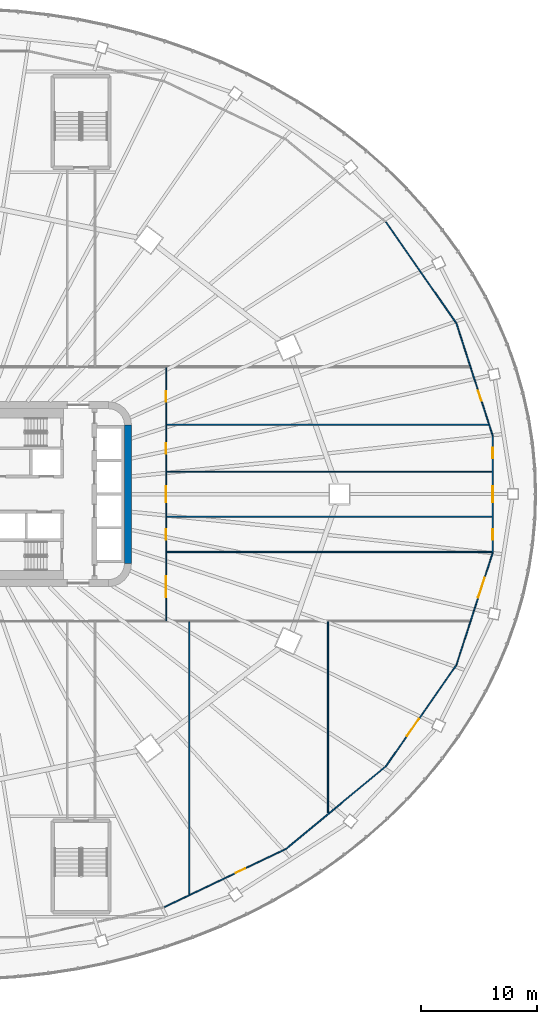
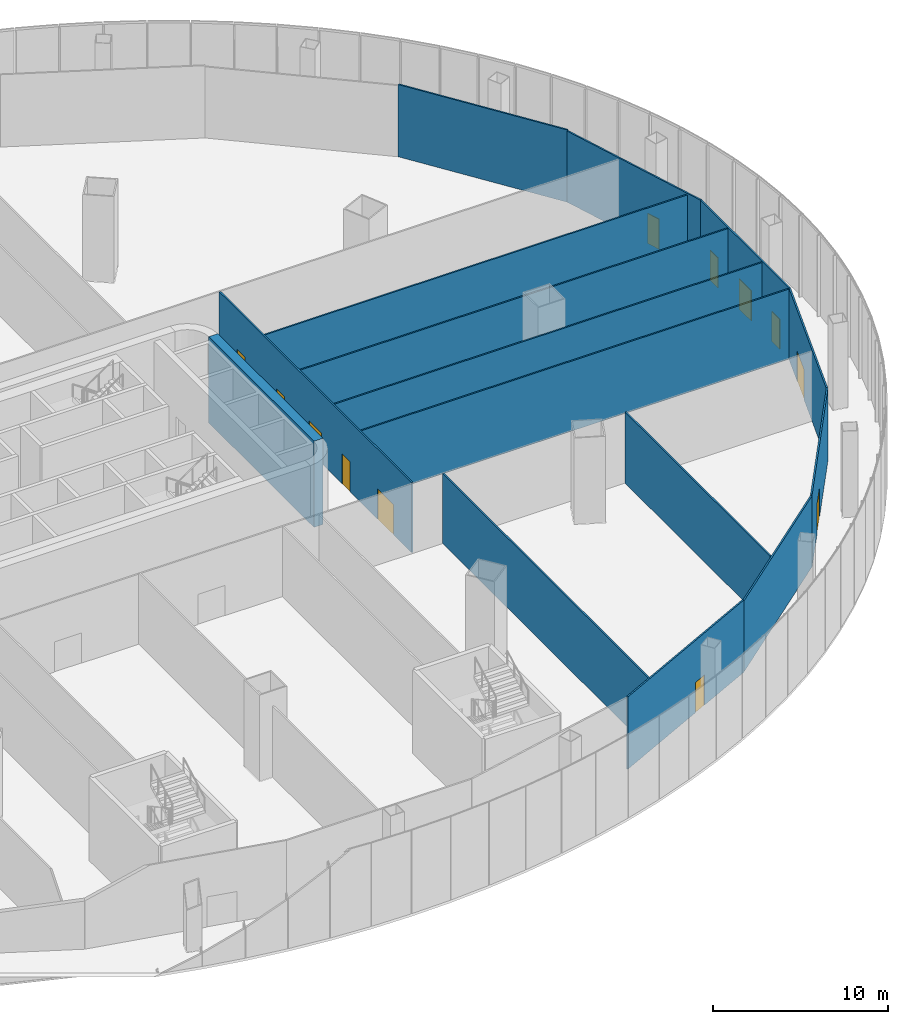
# One storey, part 25 of 37: 15 walls, 12 doors, 12 openings.
"""IFC4 building model written with IfcOpenShell, lengths in metres."""

from ifc_helpers import new_model, si_unit, direction, frame, frame_2d, origin, place, context, subcontext, project, spatial, rectangle, extrude, material, layer, layer_set, type_object, element, fill, save


model = new_model("IFC4")

# Units and contexts
model_context = context("Model", 3, precision=1e-05, world=origin(), true_north=direction((0.0, 1.0)))
body_context = subcontext(model_context, "Body", "Model", "MODEL_VIEW")
ifc_project = project(units=[si_unit("LENGTHUNIT", "METRE"), si_unit("AREAUNIT", "SQUARE_METRE"), si_unit("VOLUMEUNIT", "CUBIC_METRE"), si_unit("PLANEANGLEUNIT", "RADIAN"), si_unit("MASSUNIT", "GRAM", prefix="KILO")], contexts=[model_context])

# Site, building, storey
site_placement = place(None, origin())
site = spatial("IfcSite", under=ifc_project, at=site_placement, CompositionType="ELEMENT")
building_placement = place(site_placement, origin())
building = spatial("IfcBuilding", under=site, at=building_placement, Name="Sahrelin Media Tower", CompositionType="ELEMENT")
storey_placement = place(building_placement, frame((0.0, 0.0, 31.39990234375)))
storey = spatial("IfcBuildingStorey", under=building, at=storey_placement, Name="L04", CompositionType="ELEMENT", Elevation=31.39990234375)

# Wall
ifc_material_1 = material(Name="Concrete C60/75", Category="concrete")
ifc_layer_1 = layer(ifc_material_1, 0.60009765625)
ifc_layer_set_1 = layer_set([ifc_layer_1], Name="Core wall 600")
wall_type_1 = type_object("IfcWallType", Name="Core wall 600", PredefinedType="SHEAR", material=ifc_layer_set_1)
wall_1_placement = place(storey_placement, frame((14.699951171875, -6.0, 0.0), z_axis=(0.0, 0.0, 1.0), x_axis=(0.0, 1.0, 0.0)))
element("IfcWall", 1, at=wall_1_placement, inside=storey, type_object=wall_type_1, Name="Core wall E L04", PredefinedType="SHEAR", context=body_context, shape_type="SweptSolid", body=[
    extrude(rectangle(XDim=12.0, YDim=0.60009765625, at=frame_2d((6.0, 0.0))), origin(), (0.0, 0.0, 1.0), 6.0),
])

# Wall, opening, door
ifc_material_2 = material(Name="Gypsum board partition")
ifc_layer_2 = layer(ifc_material_2, 0.10009765625)
ifc_layer_set_2 = layer_set([ifc_layer_2], Name="Partition 100")
wall_type_2 = type_object("IfcWallType", Name="Partition 100", PredefinedType="PARTITIONING", material=ifc_layer_set_2)
wall_2_placement = place(storey_placement, frame((46.2509765625, 5.044921875, 0.0), z_axis=(0.0, 0.0, 1.0), x_axis=(-0.307713034182, 0.951479210805, 0.0)))
wall_2 = element("IfcWall", 2, at=wall_2_placement, inside=storey, type_object=wall_type_2, Name="Wall", PredefinedType="PARTITIONING", context=body_context, shape_type="SweptSolid", body=[
    extrude(rectangle(XDim=10.242919921875, YDim=0.10009765625, at=frame_2d((5.12158203125, 0.0))), origin(), (0.0, 0.0, 1.0), 4.945068359375),
])
opening_1_placement = place(wall_2_placement, frame((3.199951171875, 0.0, 0.0)))
opening_1 = element("IfcOpeningElement", 3, at=opening_1_placement, cuts=wall_2, Name="Opening L04-D43", PredefinedType="OPENING", context=body_context, shape_type="SweptSolid", body=[
    extrude(rectangle(XDim=0.89990234375, YDim=2.10009765625, at=frame_2d((0.449951171875, 1.050048828125))), frame((0.0, 0.050048828125, 0.0), z_axis=(0.0, -1.0, 0.0), x_axis=(1.0, 0.0, 0.0)), (0.0, 0.0, 1.0), 0.10009765625),
])
ifc_material_3 = material(Name="Timber door leaf", Category="wood")
door_type_1 = type_object("IfcDoorType", Name="Single door 900 x 2100", OperationType="NOTDEFINED", PredefinedType="DOOR", material=ifc_material_3)
door_1_placement = place(opening_1_placement, origin())
door_1 = element("IfcDoor", 4, at=door_1_placement, inside=storey, type_object=door_type_1, Name="Single door", OperationType="SINGLE_SWING_LEFT", OverallHeight=2.10009765625, OverallWidth=0.89990234375, PredefinedType="DOOR", context=body_context, shape_type="SweptSolid", body=[
    extrude(rectangle(XDim=0.89990234375, YDim=2.10009765625, at=frame_2d((0.449951171875, 1.050048828125))), frame((0.0, 0.02490234375, 0.0), z_axis=(0.0, -1.0, 0.0), x_axis=(1.0, 0.0, 0.0)), (0.0, 0.0, 1.0), 0.050048828125),
])
fill(opening_1, door_1)

# Wall
wall_3_placement = place(storey_placement, frame((43.09912109375, 14.790771484375, 0.0), z_axis=(0.0, 0.0, 1.0), x_axis=(-0.571737958261, 0.820436290692, 0.0)))
element("IfcWall", 5, at=wall_3_placement, inside=storey, type_object=wall_type_2, Name="Wall", PredefinedType="PARTITIONING", context=body_context, shape_type="SweptSolid", body=[
    extrude(rectangle(XDim=10.650146484375, YDim=0.10009765625, at=frame_2d((5.3251953125, 0.0))), origin(), (0.0, 0.0, 1.0), 5.026123046875),
])

# Wall, opening, door
wall_4_placement = place(storey_placement, frame((17.852294921875, -35.7080078125, 0.0), z_axis=(0.0, 0.0, 1.0), x_axis=(0.902100999032, 0.431524955878, 0.0)))
wall_4 = element("IfcWall", 6, at=wall_4_placement, inside=storey, type_object=wall_type_2, Name="Wall", PredefinedType="PARTITIONING", context=body_context, shape_type="SweptSolid", body=[
    extrude(rectangle(XDim=11.69091796875, YDim=0.10009765625, at=frame_2d((5.845458984375, 0.0))), origin(), (0.0, 0.0, 1.0), 5.026123046875),
])
opening_2_placement = place(wall_4_placement, frame((6.837890625, 0.0, 0.0)))
opening_2 = element("IfcOpeningElement", 7, at=opening_2_placement, cuts=wall_4, Name="Opening L04-D34", PredefinedType="OPENING", context=body_context, shape_type="SweptSolid", body=[
    extrude(rectangle(XDim=0.89990234375, YDim=2.10009765625, at=frame_2d((0.449951171875, 1.050048828125))), frame((0.0, 0.050048828125, 0.0), z_axis=(0.0, -1.0, 0.0), x_axis=(1.0, 0.0, 0.0)), (0.0, 0.0, 1.0), 0.10009765625),
])
door_2_placement = place(opening_2_placement, origin())
door_2 = element("IfcDoor", 8, at=door_2_placement, inside=storey, type_object=door_type_1, Name="Single door", OperationType="SINGLE_SWING_RIGHT", OverallHeight=2.10009765625, OverallWidth=0.89990234375, PredefinedType="DOOR", context=body_context, shape_type="SweptSolid", body=[
    extrude(rectangle(XDim=0.89990234375, YDim=2.10009765625, at=frame_2d((0.449951171875, 1.050048828125))), frame((0.0, 0.02490234375, 0.0), z_axis=(0.0, -1.0, 0.0), x_axis=(1.0, 0.0, 0.0)), (0.0, 0.0, 1.0), 0.050048828125),
])
fill(opening_2, door_2)

# Wall
wall_5_placement = place(storey_placement, frame((28.398681640625, -30.6630859375, 0.0), z_axis=(0.0, 0.0, 1.0), x_axis=(0.770046995363, 0.637987166746, 0.0)))
element("IfcWall", 9, at=wall_5_placement, inside=storey, type_object=wall_type_2, Name="Wall", PredefinedType="PARTITIONING", context=body_context, shape_type="SweptSolid", body=[
    extrude(rectangle(XDim=11.182861328125, YDim=0.10009765625, at=frame_2d((5.59130859375, 0.0))), origin(), (0.0, 0.0, 1.0), 4.945068359375),
])

# Wall, opening, door
wall_6_placement = place(storey_placement, frame((37.010009765625, -23.528564453125, 0.0), z_axis=(0.0, 0.0, 1.0), x_axis=(0.571737958261, 0.820436290692, 0.0)))
wall_6 = element("IfcWall", 10, at=wall_6_placement, inside=storey, type_object=wall_type_2, Name="Wall", PredefinedType="PARTITIONING", context=body_context, shape_type="SweptSolid", body=[
    extrude(rectangle(XDim=10.650146484375, YDim=0.10009765625, at=frame_2d((5.3251953125, 0.0))), origin(), (0.0, 0.0, 1.0), 5.026123046875),
])
opening_3_placement = place(wall_6_placement, frame((3.18798828125, 0.0, 0.0)))
opening_3 = element("IfcOpeningElement", 11, at=opening_3_placement, cuts=wall_6, Name="Opening L04-D35", PredefinedType="OPENING", context=body_context, shape_type="SweptSolid", body=[
    extrude(rectangle(XDim=1.800048828125, YDim=2.10009765625, at=frame_2d((0.89990234375, 1.050048828125))), frame((0.0, 0.050048828125, 0.0), z_axis=(0.0, -1.0, 0.0), x_axis=(1.0, 0.0, 0.0)), (0.0, 0.0, 1.0), 0.10009765625),
])
door_type_2 = type_object("IfcDoorType", Name="Double door 1800 x 2100", OperationType="DOUBLE_DOOR_SINGLE_SWING", PredefinedType="DOOR", material=ifc_material_3)
door_3_placement = place(opening_3_placement, origin())
door_3 = element("IfcDoor", 12, at=door_3_placement, inside=storey, type_object=door_type_2, Name="Double door", OperationType="DOUBLE_DOOR_SINGLE_SWING", OverallHeight=2.10009765625, OverallWidth=1.800048828125, PredefinedType="DOOR", context=body_context, shape_type="SweptSolid", body=[
    extrude(rectangle(XDim=1.800048828125, YDim=2.10009765625, at=frame_2d((0.89990234375, 1.050048828125))), frame((0.0, 0.02490234375, 0.0), z_axis=(0.0, -1.0, 0.0), x_axis=(1.0, 0.0, 0.0)), (0.0, 0.0, 1.0), 0.050048828125),
])
fill(opening_3, door_3)

wall_7_placement = place(storey_placement, frame((43.09912109375, -14.790771484375, 0.0), z_axis=(0.0, 0.0, 1.0), x_axis=(0.307713034182, 0.951479210805, 0.0)))
wall_7 = element("IfcWall", 13, at=wall_7_placement, inside=storey, type_object=wall_type_2, Name="Wall", PredefinedType="PARTITIONING", context=body_context, shape_type="SweptSolid", body=[
    extrude(rectangle(XDim=10.242919921875, YDim=0.10009765625, at=frame_2d((5.12158203125, 0.0))), origin(), (0.0, 0.0, 1.0), 4.945068359375),
])
opening_4_placement = place(wall_7_placement, frame((6.14990234375, 0.0, 0.0)))
opening_4 = element("IfcOpeningElement", 14, at=opening_4_placement, cuts=wall_7, Name="Opening L04-D37", PredefinedType="OPENING", context=body_context, shape_type="SweptSolid", body=[
    extrude(rectangle(XDim=1.800048828125, YDim=2.10009765625, at=frame_2d((0.89990234375, 1.050048828125))), frame((0.0, 0.050048828125, 0.0), z_axis=(0.0, -1.0, 0.0), x_axis=(1.0, 0.0, 0.0)), (0.0, 0.0, 1.0), 0.10009765625),
])
door_4_placement = place(opening_4_placement, origin())
door_4 = element("IfcDoor", 15, at=door_4_placement, inside=storey, type_object=door_type_2, Name="Double door", OperationType="DOUBLE_DOOR_SINGLE_SWING", OverallHeight=2.10009765625, OverallWidth=1.800048828125, PredefinedType="DOOR", context=body_context, shape_type="SweptSolid", body=[
    extrude(rectangle(XDim=1.800048828125, YDim=2.10009765625, at=frame_2d((0.89990234375, 1.050048828125))), frame((0.0, 0.02490234375, 0.0), z_axis=(0.0, -1.0, 0.0), x_axis=(1.0, 0.0, 0.0)), (0.0, 0.0, 1.0), 0.050048828125),
])
fill(opening_4, door_4)

# Wall, openings, doors
wall_8_placement = place(storey_placement, frame((46.2509765625, -5.044921875, 0.0), z_axis=(0.0, 0.0, 1.0), x_axis=(0.0, 1.0, 0.0)))
wall_8 = element("IfcWall", 16, at=wall_8_placement, inside=storey, type_object=wall_type_2, Name="Wall", PredefinedType="PARTITIONING", context=body_context, shape_type="SweptSolid", body=[
    extrude(rectangle(XDim=10.08984375, YDim=0.10009765625, at=frame_2d((5.044921875, 0.0))), origin(), (0.0, 0.0, 1.0), 4.945068359375),
])
opening_5_placement = place(wall_8_placement, frame((4.35009765625, 0.0, 0.0)))
opening_5 = element("IfcOpeningElement", 17, at=opening_5_placement, cuts=wall_8, Name="Opening L04-D25", PredefinedType="OPENING", context=body_context, shape_type="SweptSolid", body=[
    extrude(rectangle(XDim=1.39990234375, YDim=2.10009765625, at=frame_2d((0.699951171875, 1.050048828125))), frame((0.0, 0.050048828125, 0.0), z_axis=(0.0, -1.0, 0.0), x_axis=(1.0, 0.0, 0.0)), (0.0, 0.0, 1.0), 0.10009765625),
])
opening_6_placement = place(wall_8_placement, frame((1.10009765625, 0.0, 0.0)))
opening_6 = element("IfcOpeningElement", 18, at=opening_6_placement, cuts=wall_8, Name="Opening L04-D39", PredefinedType="OPENING", context=body_context, shape_type="SweptSolid", body=[
    extrude(rectangle(XDim=0.89990234375, YDim=2.10009765625, at=frame_2d((0.449951171875, 1.050048828125))), frame((0.0, 0.050048828125, 0.0), z_axis=(0.0, -1.0, 0.0), x_axis=(1.0, 0.0, 0.0)), (0.0, 0.0, 1.0), 0.10009765625),
])
opening_7_placement = place(wall_8_placement, frame((8.14501953125, 0.0, 0.0)))
opening_7 = element("IfcOpeningElement", 19, at=opening_7_placement, cuts=wall_8, Name="Opening L04-D41", PredefinedType="OPENING", context=body_context, shape_type="SweptSolid", body=[
    extrude(rectangle(XDim=0.89990234375, YDim=2.10009765625, at=frame_2d((0.449951171875, 1.050048828125))), frame((0.0, 0.050048828125, 0.0), z_axis=(0.0, -1.0, 0.0), x_axis=(1.0, 0.0, 0.0)), (0.0, 0.0, 1.0), 0.10009765625),
])
door_type_3 = type_object("IfcDoorType", Name="Single door 1400 x 2100", OperationType="NOTDEFINED", PredefinedType="DOOR", material=ifc_material_3)
door_5_placement = place(opening_5_placement, origin())
door_5 = element("IfcDoor", 20, at=door_5_placement, inside=storey, type_object=door_type_3, Name="Single door", OperationType="SINGLE_SWING_RIGHT", OverallHeight=2.10009765625, OverallWidth=1.39990234375, PredefinedType="DOOR", context=body_context, shape_type="SweptSolid", body=[
    extrude(rectangle(XDim=1.39990234375, YDim=2.10009765625, at=frame_2d((0.699951171875, 1.050048828125))), frame((0.0, 0.02490234375, 0.0), z_axis=(0.0, -1.0, 0.0), x_axis=(1.0, 0.0, 0.0)), (0.0, 0.0, 1.0), 0.050048828125),
])
fill(opening_5, door_5)
door_6_placement = place(opening_6_placement, origin())
door_6 = element("IfcDoor", 21, at=door_6_placement, inside=storey, type_object=door_type_1, Name="Single door", OperationType="SINGLE_SWING_LEFT", OverallHeight=2.10009765625, OverallWidth=0.89990234375, PredefinedType="DOOR", context=body_context, shape_type="SweptSolid", body=[
    extrude(rectangle(XDim=0.89990234375, YDim=2.10009765625, at=frame_2d((0.449951171875, 1.050048828125))), frame((0.0, 0.02490234375, 0.0), z_axis=(0.0, -1.0, 0.0), x_axis=(1.0, 0.0, 0.0)), (0.0, 0.0, 1.0), 0.050048828125),
])
fill(opening_6, door_6)
door_7_placement = place(opening_7_placement, origin())
door_7 = element("IfcDoor", 22, at=door_7_placement, inside=storey, type_object=door_type_1, Name="Single door", OperationType="SINGLE_SWING_RIGHT", OverallHeight=2.10009765625, OverallWidth=0.89990234375, PredefinedType="DOOR", context=body_context, shape_type="SweptSolid", body=[
    extrude(rectangle(XDim=0.89990234375, YDim=2.10009765625, at=frame_2d((0.449951171875, 1.050048828125))), frame((0.0, 0.02490234375, 0.0), z_axis=(0.0, -1.0, 0.0), x_axis=(1.0, 0.0, 0.0)), (0.0, 0.0, 1.0), 0.050048828125),
])
fill(opening_7, door_7)

wall_9_placement = place(storey_placement, frame((18.0, -10.949951171875, 0.0), z_axis=(0.0, 0.0, 1.0), x_axis=(0.0, 1.0, 0.0)))
wall_9 = element("IfcWall", 23, at=wall_9_placement, inside=storey, type_object=wall_type_2, Name="Wall", PredefinedType="PARTITIONING", context=body_context, shape_type="SweptSolid", body=[
    extrude(rectangle(XDim=21.89990234375, YDim=0.10009765625, at=frame_2d((10.949951171875, 0.0))), origin(), (0.0, 0.0, 1.0), 4.877197265625),
])
opening_8_placement = place(wall_9_placement, frame((10.25, 0.0, 0.0)))
opening_8 = element("IfcOpeningElement", 24, at=opening_8_placement, cuts=wall_9, Name="Opening L04-D24", PredefinedType="OPENING", context=body_context, shape_type="SweptSolid", body=[
    extrude(rectangle(XDim=1.39990234375, YDim=2.10009765625, at=frame_2d((0.699951171875, 1.050048828125))), frame((0.0, 0.050048828125, 0.0), z_axis=(0.0, -1.0, 0.0), x_axis=(1.0, 0.0, 0.0)), (0.0, 0.0, 1.0), 0.10009765625),
])
opening_9_placement = place(wall_9_placement, frame((2.050048828125, 0.0, 0.0)))
opening_9 = element("IfcOpeningElement", 25, at=opening_9_placement, cuts=wall_9, Name="Opening L04-D36", PredefinedType="OPENING", context=body_context, shape_type="SweptSolid", body=[
    extrude(rectangle(XDim=1.800048828125, YDim=2.10009765625, at=frame_2d((0.89990234375, 1.050048828125))), frame((0.0, 0.050048828125, 0.0), z_axis=(0.0, -1.0, 0.0), x_axis=(1.0, 0.0, 0.0)), (0.0, 0.0, 1.0), 0.10009765625),
])
opening_10_placement = place(wall_9_placement, frame((7.0, 0.0, 0.0)))
opening_10 = element("IfcOpeningElement", 26, at=opening_10_placement, cuts=wall_9, Name="Opening L04-D38", PredefinedType="OPENING", context=body_context, shape_type="SweptSolid", body=[
    extrude(rectangle(XDim=0.89990234375, YDim=2.10009765625, at=frame_2d((0.449951171875, 1.050048828125))), frame((0.0, 0.050048828125, 0.0), z_axis=(0.0, -1.0, 0.0), x_axis=(1.0, 0.0, 0.0)), (0.0, 0.0, 1.0), 0.10009765625),
])
opening_11_placement = place(wall_9_placement, frame((14.449951171875, 0.0, 0.0)))
opening_11 = element("IfcOpeningElement", 27, at=opening_11_placement, cuts=wall_9, Name="Opening L04-D40", PredefinedType="OPENING", context=body_context, shape_type="SweptSolid", body=[
    extrude(rectangle(XDim=0.89990234375, YDim=2.10009765625, at=frame_2d((0.449951171875, 1.050048828125))), frame((0.0, 0.050048828125, 0.0), z_axis=(0.0, -1.0, 0.0), x_axis=(1.0, 0.0, 0.0)), (0.0, 0.0, 1.0), 0.10009765625),
])
opening_12_placement = place(wall_9_placement, frame((18.949951171875, 0.0, 0.0)))
opening_12 = element("IfcOpeningElement", 28, at=opening_12_placement, cuts=wall_9, Name="Opening L04-D42", PredefinedType="OPENING", context=body_context, shape_type="SweptSolid", body=[
    extrude(rectangle(XDim=0.89990234375, YDim=2.10009765625, at=frame_2d((0.449951171875, 1.050048828125))), frame((0.0, 0.050048828125, 0.0), z_axis=(0.0, -1.0, 0.0), x_axis=(1.0, 0.0, 0.0)), (0.0, 0.0, 1.0), 0.10009765625),
])
door_8_placement = place(opening_9_placement, origin())
door_8 = element("IfcDoor", 29, at=door_8_placement, inside=storey, type_object=door_type_2, Name="Double door", OperationType="DOUBLE_DOOR_SINGLE_SWING", OverallHeight=2.10009765625, OverallWidth=1.800048828125, PredefinedType="DOOR", context=body_context, shape_type="SweptSolid", body=[
    extrude(rectangle(XDim=1.800048828125, YDim=2.10009765625, at=frame_2d((0.89990234375, 1.050048828125))), frame((0.0, 0.02490234375, 0.0), z_axis=(0.0, -1.0, 0.0), x_axis=(1.0, 0.0, 0.0)), (0.0, 0.0, 1.0), 0.050048828125),
])
fill(opening_9, door_8)
door_9_placement = place(opening_8_placement, origin())
door_9 = element("IfcDoor", 30, at=door_9_placement, inside=storey, type_object=door_type_3, Name="Single door", OperationType="SINGLE_SWING_RIGHT", OverallHeight=2.10009765625, OverallWidth=1.39990234375, PredefinedType="DOOR", context=body_context, shape_type="SweptSolid", body=[
    extrude(rectangle(XDim=1.39990234375, YDim=2.10009765625, at=frame_2d((0.699951171875, 1.050048828125))), frame((0.0, 0.02490234375, 0.0), z_axis=(0.0, -1.0, 0.0), x_axis=(1.0, 0.0, 0.0)), (0.0, 0.0, 1.0), 0.050048828125),
])
fill(opening_8, door_9)
door_10_placement = place(opening_10_placement, origin())
door_10 = element("IfcDoor", 31, at=door_10_placement, inside=storey, type_object=door_type_1, Name="Single door", OperationType="SINGLE_SWING_LEFT", OverallHeight=2.10009765625, OverallWidth=0.89990234375, PredefinedType="DOOR", context=body_context, shape_type="SweptSolid", body=[
    extrude(rectangle(XDim=0.89990234375, YDim=2.10009765625, at=frame_2d((0.449951171875, 1.050048828125))), frame((0.0, 0.02490234375, 0.0), z_axis=(0.0, -1.0, 0.0), x_axis=(1.0, 0.0, 0.0)), (0.0, 0.0, 1.0), 0.050048828125),
])
fill(opening_10, door_10)
door_11_placement = place(opening_11_placement, origin())
door_11 = element("IfcDoor", 32, at=door_11_placement, inside=storey, type_object=door_type_1, Name="Single door", OperationType="SINGLE_SWING_RIGHT", OverallHeight=2.10009765625, OverallWidth=0.89990234375, PredefinedType="DOOR", context=body_context, shape_type="SweptSolid", body=[
    extrude(rectangle(XDim=0.89990234375, YDim=2.10009765625, at=frame_2d((0.449951171875, 1.050048828125))), frame((0.0, 0.02490234375, 0.0), z_axis=(0.0, -1.0, 0.0), x_axis=(1.0, 0.0, 0.0)), (0.0, 0.0, 1.0), 0.050048828125),
])
fill(opening_11, door_11)
door_12_placement = place(opening_12_placement, origin())
door_12 = element("IfcDoor", 33, at=door_12_placement, inside=storey, type_object=door_type_1, Name="Single door", OperationType="SINGLE_SWING_RIGHT", OverallHeight=2.10009765625, OverallWidth=0.89990234375, PredefinedType="DOOR", context=body_context, shape_type="SweptSolid", body=[
    extrude(rectangle(XDim=0.89990234375, YDim=2.10009765625, at=frame_2d((0.449951171875, 1.050048828125))), frame((0.0, 0.02490234375, 0.0), z_axis=(0.0, -1.0, 0.0), x_axis=(1.0, 0.0, 0.0)), (0.0, 0.0, 1.0), 0.050048828125),
])
fill(opening_12, door_12)

# Walls
wall_10_placement = place(storey_placement, frame((20.0, -11.050048828125, 0.0), z_axis=(0.0, 0.0, 1.0), x_axis=(0.0, -1.0, 0.0)))
element("IfcWall", 34, at=wall_10_placement, inside=storey, type_object=wall_type_2, Name="Wall", PredefinedType="PARTITIONING", context=body_context, shape_type="SweptSolid", body=[
    extrude(rectangle(XDim=23.55126953125, YDim=0.10009765625, at=frame_2d((11.775634765625, 0.0))), origin(), (0.0, 0.0, 1.0), 4.868408203125),
])
wall_11_placement = place(storey_placement, frame((32.0, -11.050048828125, 0.0), z_axis=(0.0, 0.0, 1.0), x_axis=(0.0, -1.0, 0.0)))
element("IfcWall", 35, at=wall_11_placement, inside=storey, type_object=wall_type_2, Name="Wall", PredefinedType="PARTITIONING", context=body_context, shape_type="SweptSolid", body=[
    extrude(rectangle(XDim=16.52294921875, YDim=0.10009765625, at=frame_2d((8.261474609375, 0.0))), origin(), (0.0, 0.0, 1.0), 4.945068359375),
])
wall_12_placement = place(storey_placement, frame((18.050048828125, -5.0, 0.0), z_axis=(0.0, 0.0, 1.0), x_axis=(1.0, 0.0, 0.0)))
element("IfcWall", 36, at=wall_12_placement, inside=storey, type_object=wall_type_2, Name="Wall", PredefinedType="PARTITIONING", context=body_context, shape_type="SweptSolid", body=[
    extrude(rectangle(XDim=28.150146484375, YDim=0.10009765625, at=frame_2d((14.0751953125, 0.0))), origin(), (0.0, 0.0, 1.0), 4.868408203125),
])
wall_13_placement = place(storey_placement, frame((18.050048828125, 6.0, 0.0), z_axis=(0.0, 0.0, 1.0), x_axis=(1.0, 0.0, 0.0)))
element("IfcWall", 37, at=wall_13_placement, inside=storey, type_object=wall_type_2, Name="Wall", PredefinedType="PARTITIONING", context=body_context, shape_type="SweptSolid", body=[
    extrude(rectangle(XDim=27.8232421875, YDim=0.10009765625, at=frame_2d((13.91162109375, 0.0))), origin(), (0.0, 0.0, 1.0), 4.868408203125),
])
for number, where, z_axis, x_axis, name in (
    (38, (18.050048828125, -1.949951171875, 0.0), (0.0, 0.0, 1.0), (1.0, 0.0, 0.0), "Wall"),
    (39, (18.050048828125, 1.949951171875, 0.0), (0.0, 0.0, 1.0), (1.0, 0.0, 0.0), "Wall"),
):
    element("IfcWall", number, at=place(storey_placement, frame(where, z_axis=z_axis, x_axis=x_axis)), inside=storey, type_object=wall_type_2, Name=name, PredefinedType="PARTITIONING", context=body_context, shape_type="SweptSolid", body=[
        extrude(rectangle(XDim=28.15087890625, YDim=0.10009765625, at=frame_2d((14.075439453125, 0.0))), origin(), (0.0, 0.0, 1.0), 4.868408203125),
    ])

save(model, "model.ifc")
